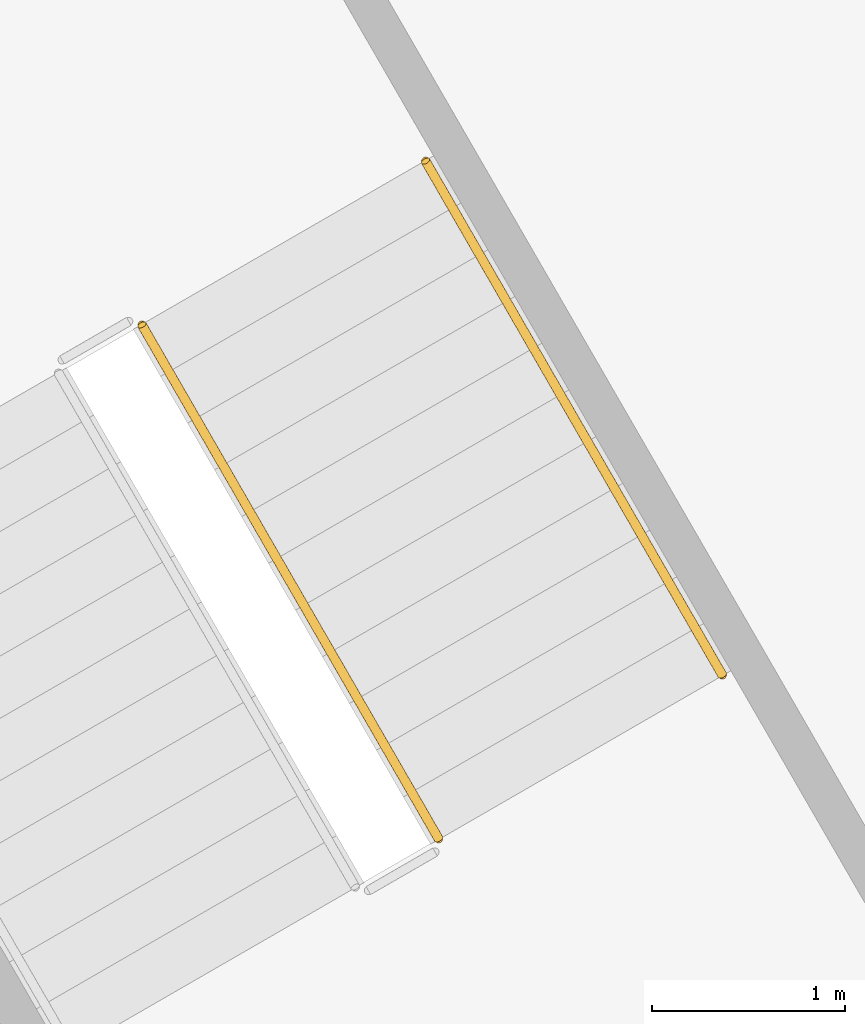
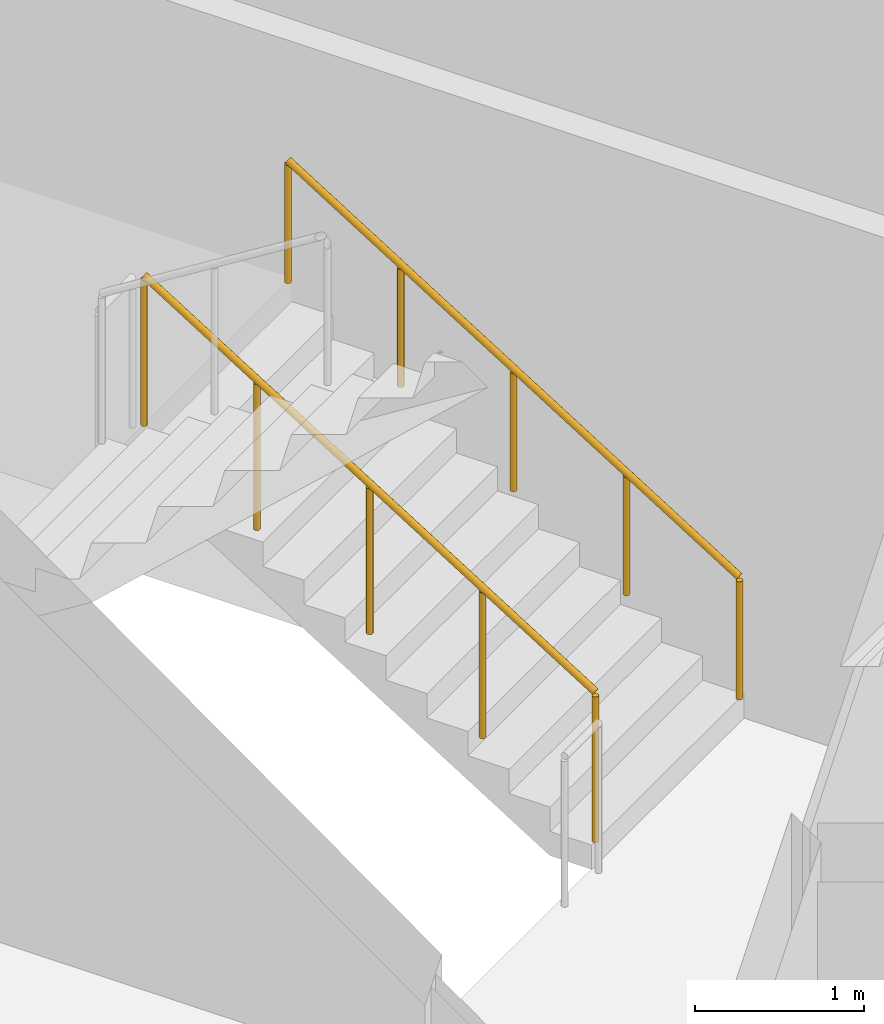
# One storey, part 14 of 14: 2 railings.
"""IFC4 building model written with IfcOpenShell, lengths in metres."""

import ifcopenshell
import ifcopenshell.guid

model = None  # the IFC model being written
_history = None  # IfcOwnerHistory: only IFC2X3 demands one
_inside = {}  # id of a spatial element -> (the spatial element, [elements in it])
_under = {}  # id of a project, library or spatial element -> (it, [spatial elements below it])
_declared = {}  # id of a project -> (the project, [libraries it declares])
_typed = {}  # id of a type object -> (the type object, [elements of that type])
_made_of = {}  # id of a material, layer set ... -> (it, [elements and type objects made of it])


def new_model(schema):
    """Start an empty IFC model of exactly this schema.

    Asked for "IFC4X3", IfcOpenShell would pick the latest addendum, in which some entities
    have other attributes; the version numbers below select the first issue.
    IFC2X3 requires an IfcOwnerHistory on every rooted entity: one is made here for all.
    """
    global model, _history
    if schema == "IFC4X3":
        model = ifcopenshell.file(schema_version=(4, 3, 0, 0))
    else:
        model = ifcopenshell.file(schema=schema)
    _inside.clear()
    _under.clear()
    _declared.clear()
    _typed.clear()
    _made_of.clear()
    _history = None
    if model.schema == "IFC2X3":
        org = make("IfcOrganization", Name="unknown")
        user = make(
            "IfcPersonAndOrganization",
            ThePerson=make("IfcPerson", FamilyName="unknown"),
            TheOrganization=org,
        )
        app = make(
            "IfcApplication",
            ApplicationDeveloper=org,
            Version="unknown",
            ApplicationFullName="unknown",
            ApplicationIdentifier="unknown",
        )
        _history = make(
            "IfcOwnerHistory",
            OwningUser=user,
            OwningApplication=app,
            ChangeAction="ADDED",
            CreationDate=0,
        )
    return model


def make(cls, **values):
    """One entity of the class cls with the attributes given. An attribute that is None is left unset."""
    return model.create_entity(
        cls, **{name: value for name, value in values.items() if value is not None}
    )


def rooted(cls, **values):
    """An entity with a GlobalId (a new one), such as an element, a storey or a relation."""
    return make(cls, GlobalId=ifcopenshell.guid.new(), OwnerHistory=_history, **values)


def si_unit(unit_type, name, prefix=None):
    """IfcSIUnit, for example si_unit("LENGTHUNIT", "METRE", prefix="MILLI")."""
    return make("IfcSIUnit", UnitType=unit_type, Prefix=prefix, Name=name)


def assignment(units):
    """IfcUnitAssignment: the units of a project."""
    return None if units is None else make("IfcUnitAssignment", Units=units)


def point(xyz):
    """IfcCartesianPoint."""
    return None if xyz is None else make("IfcCartesianPoint", Coordinates=xyz)


def direction(xyz):
    """IfcDirection."""
    return None if xyz is None else make("IfcDirection", DirectionRatios=xyz)


def frame(location, z_axis=None, x_axis=None):
    """IfcAxis2Placement3D, a coordinate frame: its origin and axes. An axis left out is left unset."""
    return make(
        "IfcAxis2Placement3D",
        Location=point(location),
        Axis=direction(z_axis),
        RefDirection=direction(x_axis),
    )


def frame_2d(location, x_axis=None):
    """IfcAxis2Placement2D, a coordinate frame in the plane: its origin and x axis."""
    return make(
        "IfcAxis2Placement2D", Location=point(location), RefDirection=direction(x_axis)
    )


def origin():
    """The frame at (0, 0, 0) with its axes left unset."""
    return frame((0.0, 0.0, 0.0))


def origin_2d():
    """The frame at (0, 0) in the plane with its x axis left unset."""
    return frame_2d((0.0, 0.0))


def place(relative_to, where):
    """IfcLocalPlacement: puts the frame where relative to a parent placement (None: the world)."""
    return make(
        "IfcLocalPlacement", PlacementRelTo=relative_to, RelativePlacement=where
    )


def context(
    kind, dimensions, precision=None, world=None, true_north=None, identifier=None
):
    """IfcGeometricRepresentationContext, for example the 3D "Model" context."""
    return make(
        "IfcGeometricRepresentationContext",
        ContextIdentifier=identifier,
        ContextType=kind,
        CoordinateSpaceDimension=dimensions,
        Precision=precision,
        WorldCoordinateSystem=world,
        TrueNorth=true_north,
    )


def subcontext(parent, identifier, kind, view, scale=None):
    """IfcGeometricRepresentationSubContext, for example "Body" below "Model"."""
    return make(
        "IfcGeometricRepresentationSubContext",
        ContextIdentifier=identifier,
        ContextType=kind,
        ParentContext=parent,
        TargetScale=scale,
        TargetView=view,
    )


def project(units=None, contexts=None):
    """IfcProject with its units and contexts."""
    return rooted(
        "IfcProject",
        Name="project",
        RepresentationContexts=contexts,
        UnitsInContext=assignment(units),
    )


def spatial(cls, under=None, at=None, **own):
    """A site, building, storey or space (cls), placed at a placement, below another one or the project."""
    s = rooted(cls, ObjectPlacement=at, **own)
    if under is not None:
        _under.setdefault(under.id(), (under, []))[1].append(s)
    return s


def profile(cls, at=None, kind="AREA", **sizes):
    """A parametric profile (cls). Its sizes go by their IFC names, for example OverallWidth=200.0."""
    return make(cls, ProfileType=kind, Position=at, **sizes)


def circle(**sizes):
    """IfcCircleProfileDef."""
    return profile("IfcCircleProfileDef", **sizes)


def extrude(swept, where, along, depth):
    """IfcExtrudedAreaSolid: the profile swept, set in the frame where, extruded along a direction by depth."""
    return make(
        "IfcExtrudedAreaSolid",
        SweptArea=swept,
        Position=where,
        ExtrudedDirection=direction(along),
        Depth=depth,
    )


def shape(context_of_items, identifier, shape_type, items):
    """IfcShapeRepresentation: the items that make up one representation, for example the "Body"."""
    return make(
        "IfcShapeRepresentation",
        ContextOfItems=context_of_items,
        RepresentationIdentifier=identifier,
        RepresentationType=shape_type,
        Items=items,
    )


def material(Name=None, Category=None):
    """IfcMaterial."""
    return make("IfcMaterial", Name=Name, Category=Category)


def made_of(thing, what):
    """Note that an element or type object is made of a material, layer set ...; save() writes the relation."""
    if what is not None:
        _made_of.setdefault(what.id(), (what, []))[1].append(thing)
    return thing


def type_object(cls, material=None, **own):
    """A type object (cls), such as IfcWallType, which elements share."""
    return made_of(rooted(cls, **own), material)


def element(
    cls,
    number,
    at=None,
    inside=None,
    cuts=None,
    type_object=None,
    material=None,
    context=None,
    identifier="Body",
    shape_type=None,
    held_by="IfcProductDefinitionShape",
    body=None,
    shapes=None,
    **own,
):
    """One element of the class cls, such as IfcWall. Its Tag is "e" and its number.

    at: its placement. inside: the storey or other place that contains it. cuts: it is an
    opening in that element (IfcRelVoidsElement). A single representation is given by context,
    identifier, shape_type and body (its items); several are given by shapes. held_by: the class
    of the entity that holds the representations. save() writes the other relations.
    """
    e = rooted(cls, Tag="e%d" % number, ObjectPlacement=at, **own)
    if body is not None:
        shapes = [shape(context, identifier, shape_type, body)]
    if shapes is not None:
        e.Representation = make(held_by, Representations=shapes)
    if inside is not None:
        _inside.setdefault(inside.id(), (inside, []))[1].append(e)
    if cuts is not None:
        rooted(
            "IfcRelVoidsElement", RelatingBuildingElement=cuts, RelatedOpeningElement=e
        )
    if type_object is not None:
        _typed.setdefault(type_object.id(), (type_object, []))[1].append(e)
    return made_of(e, material)


def aggregate(whole, parts):
    """IfcRelAggregates: a whole, such as a stair, and the parts it consists of."""
    return rooted("IfcRelAggregates", RelatingObject=whole, RelatedObjects=parts)


def save(model, path):
    """Write the relations noted so far, then the file.

    IfcRelAggregates (storeys below a building ...), IfcRelContainedInSpatialStructure (elements
    in a storey), IfcRelDefinesByType, IfcRelAssociatesMaterial and IfcRelDeclares: one each for
    every whole, place, type object, material and project.
    """
    for whole, parts in _under.values():
        aggregate(whole, parts)
    for where, things in _inside.values():
        rooted(
            "IfcRelContainedInSpatialStructure",
            RelatedElements=things,
            RelatingStructure=where,
        )
    for kind, things in _typed.values():
        rooted("IfcRelDefinesByType", RelatedObjects=things, RelatingType=kind)
    for what, things in _made_of.values():
        rooted("IfcRelAssociatesMaterial", RelatedObjects=things, RelatingMaterial=what)
    for by, libraries in _declared.values():
        rooted("IfcRelDeclares", RelatingContext=by, RelatedDefinitions=libraries)
    model.write(path)


model = new_model("IFC4")

# Units and contexts
model_context = context("Model", 3, precision=1e-05, world=origin(), true_north=direction((0.0, 1.0)))
body_context = subcontext(model_context, "Body", "Model", "MODEL_VIEW")
ifc_project = project(units=[si_unit("LENGTHUNIT", "METRE"), si_unit("AREAUNIT", "SQUARE_METRE"), si_unit("VOLUMEUNIT", "CUBIC_METRE"), si_unit("PLANEANGLEUNIT", "RADIAN"), si_unit("MASSUNIT", "GRAM", prefix="KILO")], contexts=[model_context])

# Site, building, storey
site_placement = place(None, origin())
site = spatial("IfcSite", under=ifc_project, at=site_placement, CompositionType="ELEMENT")
building_placement = place(site_placement, origin())
building = spatial("IfcBuilding", under=site, at=building_placement, Name="Entoto Arch Interchange Tower", CompositionType="ELEMENT")
storey_placement = place(building_placement, frame((0.0, 0.0, 64.39990234375)))
storey = spatial("IfcBuildingStorey", under=building, at=storey_placement, Name="L13", CompositionType="ELEMENT", Elevation=64.39990234375)

# Railings
ifc_material = material(Name="Stainless steel 1.4301", Category="steel")
railing_type_1 = type_object("IfcRailingType", Name="STAIR GUARD 1100 STEEL", PredefinedType="GUARDRAIL", material=ifc_material)
railing_1_placement = place(storey_placement, frame((5.977783203125, 4.046142578125, 0.175048828125)))
element("IfcRailing", 1, at=railing_1_placement, inside=storey, type_object=railing_type_1, Name="L13 ST-NE stair guard 1", PredefinedType="GUARDRAIL", context=body_context, shape_type="SweptSolid", body=[
    extrude(circle(Radius=0.02392578125, at=origin_2d()), frame((0.0, 0.0, 1.076171875), z_axis=(-0.424015404183, 0.734364028329, 0.530019255228), x_axis=(-0.866010015463, -0.500026652407, 0.0)), (0.0, 0.0, 1.0), 3.632080078125),
    extrude(circle(Radius=0.02099609375, at=origin_2d()), origin(), (0.0, 0.0, 1.0), 1.052001953125),
    extrude(circle(Radius=0.02099609375, at=origin_2d()), frame((-0.385009765625, 0.666748046875, 0.481201171875)), (0.0, 0.0, 1.0), 1.052001953125),
    extrude(circle(Radius=0.02099609375, at=origin_2d()), frame((-0.77001953125, 1.33349609375, 0.96240234375)), (0.0, 0.0, 1.0), 1.052001953125),
    extrude(circle(Radius=0.02099609375, at=origin_2d()), frame((-1.155029296875, 2.00048828125, 1.44384765625)), (0.0, 0.0, 1.0), 1.052001953125),
    extrude(circle(Radius=0.02099609375, at=origin_2d()), frame((-1.5400390625, 2.667236328125, 1.925048828125)), (0.0, 0.0, 1.0), 1.052001953125),
])
railing_type_2 = type_object("IfcRailingType", Name="STAIR HANDRAIL 900 STEEL", PredefinedType="HANDRAIL", material=ifc_material)
railing_2_placement = place(storey_placement, frame((7.4501953125, 4.89599609375, 0.175048828125)))
element("IfcRailing", 2, at=railing_2_placement, inside=storey, type_object=railing_type_2, Name="L13 ST-NE stair handrail 1", PredefinedType="HANDRAIL", context=body_context, shape_type="SweptSolid", body=[
    extrude(circle(Radius=0.02392578125, at=origin_2d()), frame((0.0, 0.0, 0.8759765625), z_axis=(-0.423994474112, 0.734394994316, 0.52999309264), x_axis=(-0.866029832698, -0.499992328818, 0.0)), (0.0, 0.0, 1.0), 3.63232421875),
    extrude(circle(Radius=0.02099609375, at=origin_2d()), origin(), (0.0, 0.0, 1.0), 0.851806640625),
    extrude(circle(Radius=0.02099609375, at=origin_2d()), frame((-0.385009765625, 0.6669921875, 0.481201171875)), (0.0, 0.0, 1.0), 0.851806640625),
    extrude(circle(Radius=0.02099609375, at=origin_2d()), frame((-0.77001953125, 1.333740234375, 0.96240234375)), (0.0, 0.0, 1.0), 0.851806640625),
    extrude(circle(Radius=0.02099609375, at=origin_2d()), frame((-1.155029296875, 2.00048828125, 1.44384765625)), (0.0, 0.0, 1.0), 0.851806640625),
    extrude(circle(Radius=0.02099609375, at=origin_2d()), frame((-1.5400390625, 2.66748046875, 1.925048828125)), (0.0, 0.0, 1.0), 0.851806640625),
])

save(model, "model.ifc")
